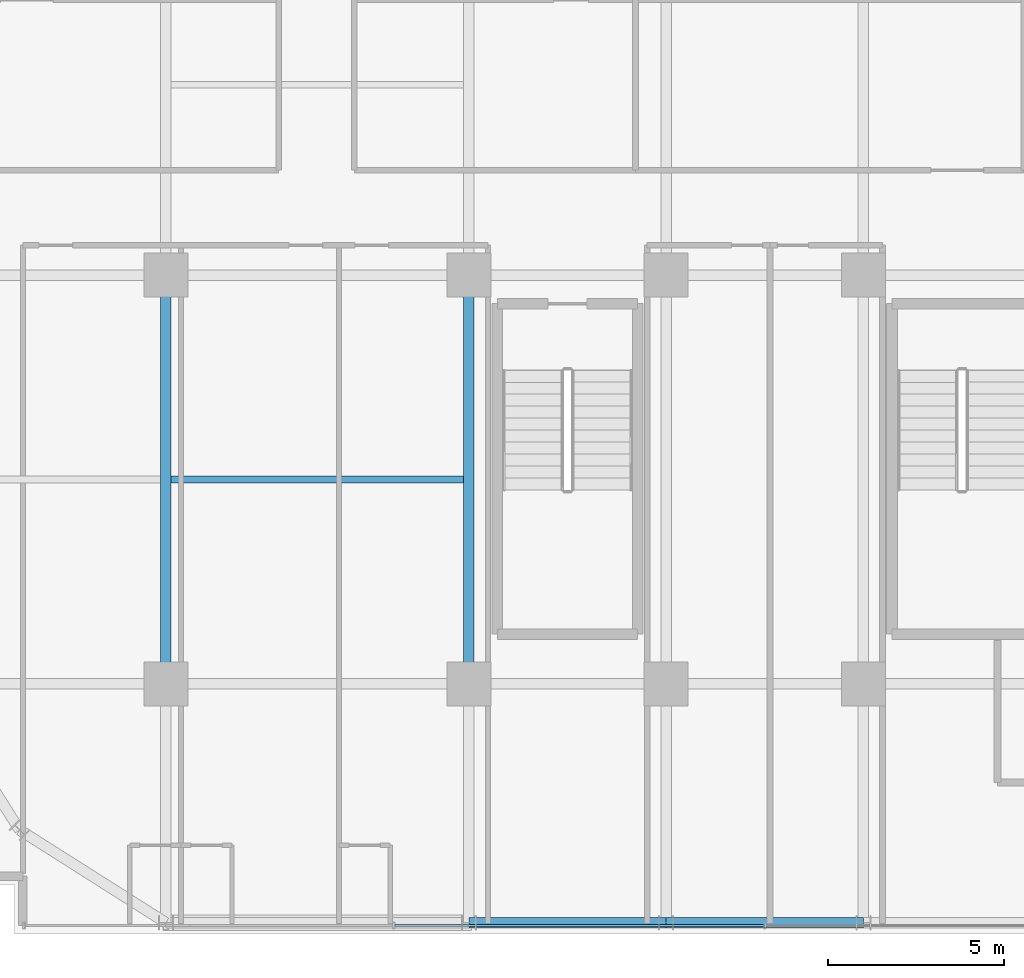
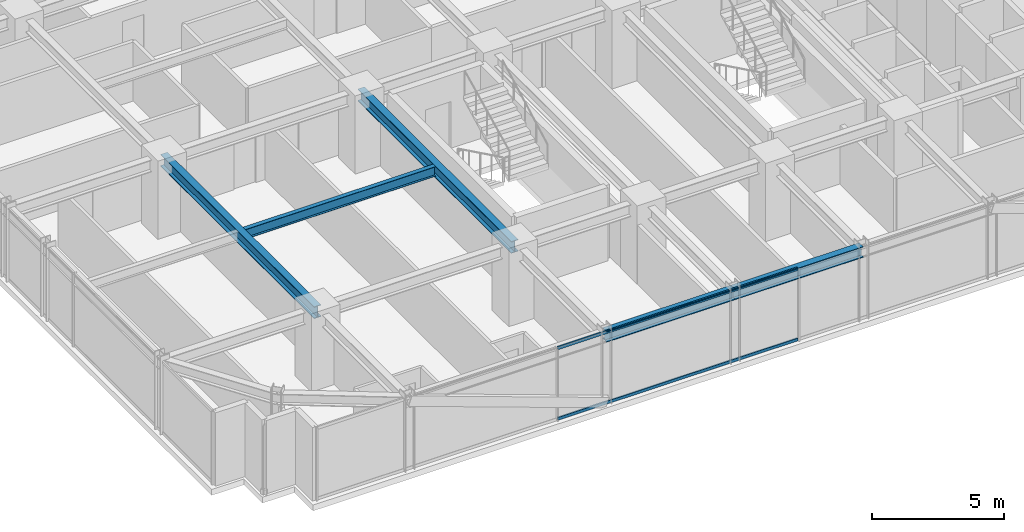
# One storey, part 5 of 41: 5 beams, 2 members, 1 element without a shape of its own.
"""IFC4 building model written with IfcOpenShell, lengths in metres."""

from ifc_helpers import new_model, si_unit, direction, frame, origin, origin_2d, place, context, subcontext, project, spatial, hollow_rectangle, i_section, extrude, source, transform, mapped, material, material_profile, profile_set, type_object, element, aggregate, save


model = new_model("IFC4")

# Units and contexts
model_context = context("Model", 3, precision=1e-05, world=origin(), true_north=direction((0.0, 1.0)))
body_context = subcontext(model_context, "Body", "Model", "MODEL_VIEW")
ifc_project = project(units=[si_unit("LENGTHUNIT", "METRE"), si_unit("AREAUNIT", "SQUARE_METRE"), si_unit("VOLUMEUNIT", "CUBIC_METRE"), si_unit("PLANEANGLEUNIT", "RADIAN"), si_unit("MASSUNIT", "GRAM", prefix="KILO")], contexts=[model_context])

# Site, building, storey
site_placement = place(None, origin())
site = spatial("IfcSite", under=ifc_project, at=site_placement, CompositionType="ELEMENT")
building_placement = place(site_placement, origin())
building = spatial("IfcBuilding", under=site, at=building_placement, Name="Nahalor Promenade Grand Hotel", CompositionType="ELEMENT")
storey_placement = place(building_placement, frame((0.0, 0.0, 113.85009765625)))
storey = spatial("IfcBuildingStorey", under=building, at=storey_placement, Name="L28", CompositionType="ELEMENT", Elevation=113.85009765625)

# Beams
ifc_material_1 = material(Name="Steel S355JR", Category="steel")
ifc_material_profile_1 = material_profile(ifc_material_1, i_section(OverallWidth=0.3, OverallDepth=0.5, WebThickness=0.0145, FlangeThickness=0.028, at=origin_2d()), Name="HEB 500")
ifc_profile_set_1 = profile_set([ifc_material_profile_1], Name="Steel S355JR")
beam_type_1 = type_object("IfcBeamType", Name="Beam-Spandrel-HEB500", PredefinedType="SPANDREL", material=ifc_profile_set_1)
shared_shape_1 = source(origin(), body_context, "Body", "SweptSolid", [
    extrude(i_section(OverallWidth=0.3, OverallDepth=0.5, WebThickness=0.0145, FlangeThickness=0.028, at=origin_2d()), origin(), (0.0, 0.0, 1.0), 5.599853515625),
])
beam_1_placement = place(storey_placement, frame((-8.39990234375, -23.780029296875, 3.1298828125), z_axis=(1.0, 0.0, 0.0), x_axis=(0.0, 1.0, 0.0)))
element("IfcBeam", 1, at=beam_1_placement, inside=storey, type_object=beam_type_1, Name="BM-L28-SP-S-1", PredefinedType="SPANDREL", context=body_context, shape_type="MappedRepresentation", body=[
    mapped(shared_shape_1, transform((0.0, 0.0, 0.0), scale=1.0)),
])
shared_shape_2 = source(origin(), body_context, "Body", "SweptSolid", [
    extrude(i_section(OverallWidth=0.3, OverallDepth=0.5, WebThickness=0.0145, FlangeThickness=0.028, at=origin_2d()), origin(), (0.0, 0.0, 1.0), 5.60009765625),
])
beam_2_placement = place(storey_placement, frame((-2.800048828125, -23.780029296875, 3.1298828125), z_axis=(1.0, 0.0, 0.0), x_axis=(0.0, 1.0, 0.0)))
element("IfcBeam", 2, at=beam_2_placement, inside=storey, type_object=beam_type_1, Name="BM-L28-SP-S-2", PredefinedType="SPANDREL", context=body_context, shape_type="MappedRepresentation", body=[
    mapped(shared_shape_2, transform((0.0, 0.0, 0.0), scale=1.0)),
])
ifc_material_profile_2 = material_profile(ifc_material_1, i_section(OverallWidth=0.3, OverallDepth=0.55, WebThickness=0.015, FlangeThickness=0.029, at=origin_2d()), Name="HEB 550")
ifc_profile_set_2 = profile_set([ifc_material_profile_2], Name="Steel S355JR")
beam_type_2 = type_object("IfcBeamType", Name="Beam-Girder-HEB550", PredefinedType="BEAM", material=ifc_profile_set_2)
shared_shape_3 = source(origin(), body_context, "Body", "SweptSolid", [
    extrude(i_section(OverallWidth=0.3, OverallDepth=0.55, WebThickness=0.015, FlangeThickness=0.029, at=origin_2d()), origin(), (0.0, 0.0, 1.0), 11.60009765625),
])
for number, where, z_axis, x_axis, name in (
    (3, (-17.0, -17.0, 3.10498046875), (0.0, 1.0, 0.0), (-1.0, 0.0, 0.0), "BM-L28-GY-0-1"),
    (4, (-8.39990234375, -17.0, 3.10498046875), (0.0, 1.0, 0.0), (-1.0, 0.0, 0.0), "BM-L28-GY-1-1"),
):
    element("IfcBeam", number, at=place(storey_placement, frame(where, z_axis=z_axis, x_axis=x_axis)), inside=storey, type_object=beam_type_2, Name=name, PredefinedType="BEAM", context=body_context, shape_type="MappedRepresentation", body=[
        mapped(shared_shape_3, transform((0.0, 0.0, 0.0), scale=1.0)),
    ])
ifc_material_profile_3 = material_profile(ifc_material_1, i_section(OverallWidth=0.19, OverallDepth=0.45, WebThickness=0.0094, FlangeThickness=0.0146, at=origin_2d()), Name="IPE 450")
ifc_profile_set_3 = profile_set([ifc_material_profile_3], Name="Steel S355JR")
beam_type_3 = type_object("IfcBeamType", Name="Beam-Joist-IPE450", PredefinedType="JOIST", material=ifc_profile_set_3)
shared_shape_4 = source(origin(), body_context, "Body", "SweptSolid", [
    extrude(i_section(OverallWidth=0.19, OverallDepth=0.45, WebThickness=0.0094, FlangeThickness=0.0146, at=origin_2d()), origin(), (0.0, 0.0, 1.0), 8.300048828125),
])
beam_3_placement = place(storey_placement, frame((-16.85009765625, -11.199951171875, 3.15478515625), z_axis=(1.0, 0.0, 0.0), x_axis=(0.0, 1.0, 0.0)))
element("IfcBeam", 5, at=beam_3_placement, inside=storey, type_object=beam_type_3, Name="BM-L28-JSW-0-1", PredefinedType="JOIST", context=body_context, shape_type="MappedRepresentation", body=[
    mapped(shared_shape_4, transform((0.0, 0.0, 0.0), scale=1.0)),
])

# Curtain wall, members
ifc_material_2 = material(Name="Anodised Bronze Aluminium EN AW-6063 T6", Category="aluminium")
curtain_wall_type = type_object("IfcCurtainWallType", Name="CW2 Typical Hotel Flush Bronze Unitised Curtain Wall", PredefinedType="USERDEFINED", material=ifc_material_2)
curtain_wall_placement = place(storey_placement, origin())
curtain_wall = element("IfcCurtainWall", 6, at=curtain_wall_placement, inside=storey, type_object=curtain_wall_type, Name="L28 Curtain Wall CW-L28-S-1", ObjectType="UNITISED_CURTAIN_WALL", PredefinedType="USERDEFINED")
ifc_material_profile_4 = material_profile(ifc_material_2, hollow_rectangle(XDim=0.065, YDim=0.13, WallThickness=0.004, at=origin_2d()), Name="CWT 65x130x4")
ifc_profile_set_4 = profile_set([ifc_material_profile_4], Name="Anodised Bronze Aluminium EN AW-6063 T6")
member_type = type_object("IfcMemberType", Name="CWT2 Typical Bronze Transom 65x130", PredefinedType="USERDEFINED", material=ifc_profile_set_4)
shared_shape_5 = source(origin(), body_context, "Body", "SweptSolid", [
    extrude(hollow_rectangle(XDim=0.065, YDim=0.13, WallThickness=0.004, at=origin_2d()), origin(), (0.0, 0.0, 1.0), 10.465087890625),
])
member_1_placement = place(storey_placement, frame((-10.49755859375, -23.860107421875, 0.06494140625), z_axis=(1.0, 0.0, 0.0), x_axis=(0.0, 1.0, 0.0)))
member_1 = element("IfcMember", 7, at=member_1_placement, type_object=member_type, Name="CW-L28-S-1 Transom 1-0", ObjectType="TRANSOM", PredefinedType="USERDEFINED", context=body_context, shape_type="MappedRepresentation", body=[
    mapped(shared_shape_5, transform((0.0, 0.0, 0.0), scale=1.0)),
])
member_2_placement = place(storey_placement, frame((-10.49755859375, -23.860107421875, 3.31494140625), z_axis=(1.0, 0.0, 0.0), x_axis=(0.0, 1.0, 0.0)))
member_2 = element("IfcMember", 8, at=member_2_placement, type_object=member_type, Name="CW-L28-S-1 Transom 1-1", ObjectType="TRANSOM", PredefinedType="USERDEFINED", context=body_context, shape_type="MappedRepresentation", body=[
    mapped(shared_shape_5, transform((0.0, 0.0, 0.0), scale=1.0)),
])
aggregate(curtain_wall, [member_1, member_2])

save(model, "model.ifc")
